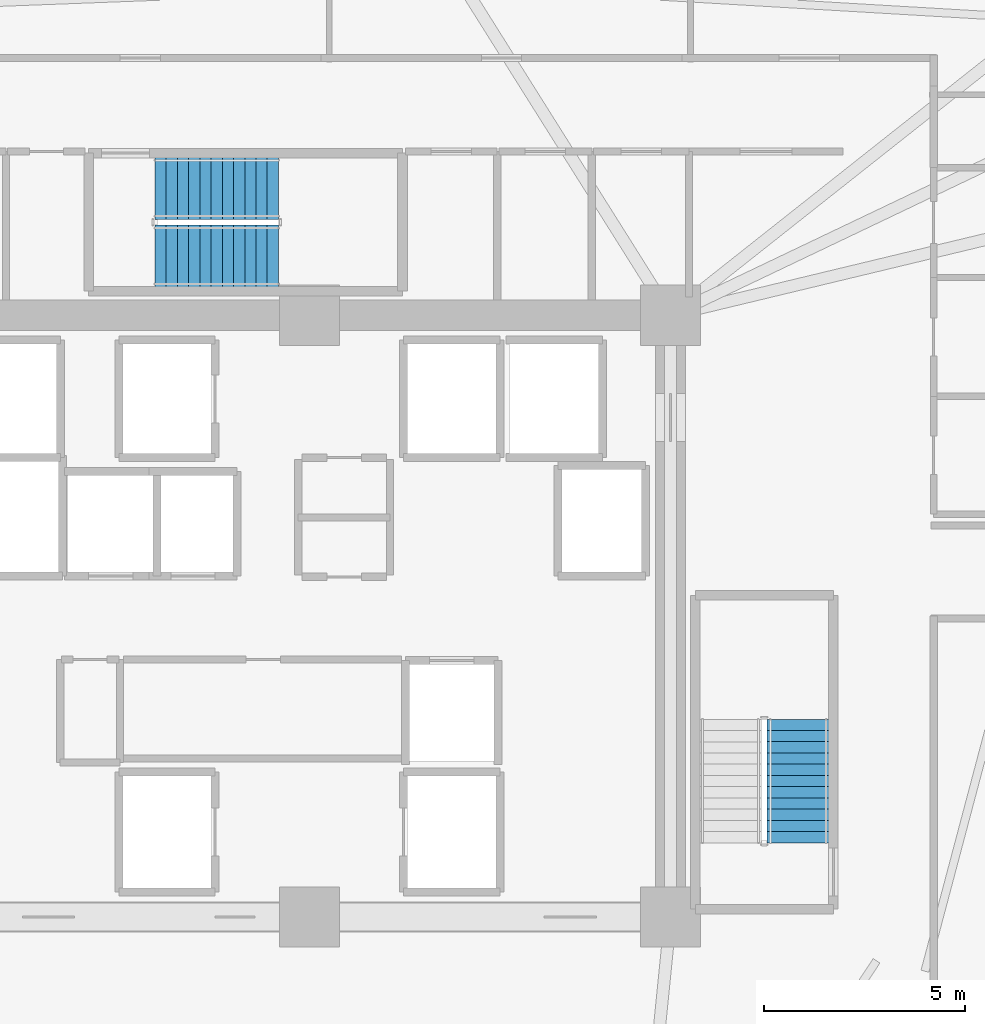
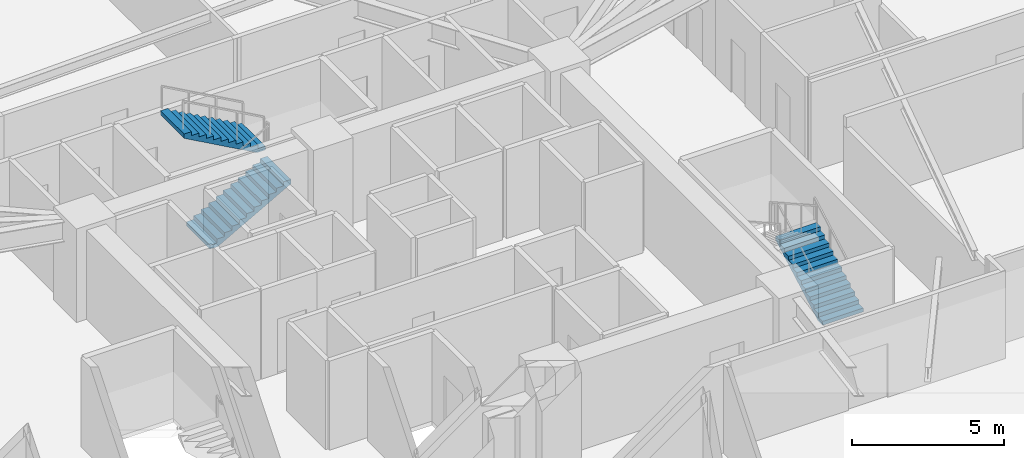
# One storey, part 8 of 10: 3 stair flights, 2 elements without a shape of their own.
"""IFC4 building model written with IfcOpenShell, lengths in metres."""

import ifcopenshell
import ifcopenshell.guid

model = None  # the IFC model being written
_history = None  # IfcOwnerHistory: only IFC2X3 demands one
_inside = {}  # id of a spatial element -> (the spatial element, [elements in it])
_under = {}  # id of a project, library or spatial element -> (it, [spatial elements below it])
_declared = {}  # id of a project -> (the project, [libraries it declares])
_typed = {}  # id of a type object -> (the type object, [elements of that type])
_made_of = {}  # id of a material, layer set ... -> (it, [elements and type objects made of it])


def new_model(schema):
    """Start an empty IFC model of exactly this schema.

    Asked for "IFC4X3", IfcOpenShell would pick the latest addendum, in which some entities
    have other attributes; the version numbers below select the first issue.
    IFC2X3 requires an IfcOwnerHistory on every rooted entity: one is made here for all.
    """
    global model, _history
    if schema == "IFC4X3":
        model = ifcopenshell.file(schema_version=(4, 3, 0, 0))
    else:
        model = ifcopenshell.file(schema=schema)
    _inside.clear()
    _under.clear()
    _declared.clear()
    _typed.clear()
    _made_of.clear()
    _history = None
    if model.schema == "IFC2X3":
        org = make("IfcOrganization", Name="unknown")
        user = make(
            "IfcPersonAndOrganization",
            ThePerson=make("IfcPerson", FamilyName="unknown"),
            TheOrganization=org,
        )
        app = make(
            "IfcApplication",
            ApplicationDeveloper=org,
            Version="unknown",
            ApplicationFullName="unknown",
            ApplicationIdentifier="unknown",
        )
        _history = make(
            "IfcOwnerHistory",
            OwningUser=user,
            OwningApplication=app,
            ChangeAction="ADDED",
            CreationDate=0,
        )
    return model


def make(cls, **values):
    """One entity of the class cls with the attributes given. An attribute that is None is left unset."""
    return model.create_entity(
        cls, **{name: value for name, value in values.items() if value is not None}
    )


def rooted(cls, **values):
    """An entity with a GlobalId (a new one), such as an element, a storey or a relation."""
    return make(cls, GlobalId=ifcopenshell.guid.new(), OwnerHistory=_history, **values)


def si_unit(unit_type, name, prefix=None):
    """IfcSIUnit, for example si_unit("LENGTHUNIT", "METRE", prefix="MILLI")."""
    return make("IfcSIUnit", UnitType=unit_type, Prefix=prefix, Name=name)


def assignment(units):
    """IfcUnitAssignment: the units of a project."""
    return None if units is None else make("IfcUnitAssignment", Units=units)


def point(xyz):
    """IfcCartesianPoint."""
    return None if xyz is None else make("IfcCartesianPoint", Coordinates=xyz)


def direction(xyz):
    """IfcDirection."""
    return None if xyz is None else make("IfcDirection", DirectionRatios=xyz)


def frame(location, z_axis=None, x_axis=None):
    """IfcAxis2Placement3D, a coordinate frame: its origin and axes. An axis left out is left unset."""
    return make(
        "IfcAxis2Placement3D",
        Location=point(location),
        Axis=direction(z_axis),
        RefDirection=direction(x_axis),
    )


def origin():
    """The frame at (0, 0, 0) with its axes left unset."""
    return frame((0.0, 0.0, 0.0))


def place(relative_to, where):
    """IfcLocalPlacement: puts the frame where relative to a parent placement (None: the world)."""
    return make(
        "IfcLocalPlacement", PlacementRelTo=relative_to, RelativePlacement=where
    )


def context(
    kind, dimensions, precision=None, world=None, true_north=None, identifier=None
):
    """IfcGeometricRepresentationContext, for example the 3D "Model" context."""
    return make(
        "IfcGeometricRepresentationContext",
        ContextIdentifier=identifier,
        ContextType=kind,
        CoordinateSpaceDimension=dimensions,
        Precision=precision,
        WorldCoordinateSystem=world,
        TrueNorth=true_north,
    )


def subcontext(parent, identifier, kind, view, scale=None):
    """IfcGeometricRepresentationSubContext, for example "Body" below "Model"."""
    return make(
        "IfcGeometricRepresentationSubContext",
        ContextIdentifier=identifier,
        ContextType=kind,
        ParentContext=parent,
        TargetScale=scale,
        TargetView=view,
    )


def project(units=None, contexts=None):
    """IfcProject with its units and contexts."""
    return rooted(
        "IfcProject",
        Name="project",
        RepresentationContexts=contexts,
        UnitsInContext=assignment(units),
    )


def spatial(cls, under=None, at=None, **own):
    """A site, building, storey or space (cls), placed at a placement, below another one or the project."""
    s = rooted(cls, ObjectPlacement=at, **own)
    if under is not None:
        _under.setdefault(under.id(), (under, []))[1].append(s)
    return s


def polyline(points):
    """IfcPolyline through the points."""
    return make("IfcPolyline", Points=[point(p) for p in points])


def outline(outer, holes=None, kind="AREA"):
    """IfcArbitraryClosedProfileDef: a profile drawn as a closed curve; with holes, ...WithVoids."""
    if holes is None:
        return make("IfcArbitraryClosedProfileDef", ProfileType=kind, OuterCurve=outer)
    return make(
        "IfcArbitraryProfileDefWithVoids",
        ProfileType=kind,
        OuterCurve=outer,
        InnerCurves=holes,
    )


def extrude(swept, where, along, depth):
    """IfcExtrudedAreaSolid: the profile swept, set in the frame where, extruded along a direction by depth."""
    return make(
        "IfcExtrudedAreaSolid",
        SweptArea=swept,
        Position=where,
        ExtrudedDirection=direction(along),
        Depth=depth,
    )


def shape(context_of_items, identifier, shape_type, items):
    """IfcShapeRepresentation: the items that make up one representation, for example the "Body"."""
    return make(
        "IfcShapeRepresentation",
        ContextOfItems=context_of_items,
        RepresentationIdentifier=identifier,
        RepresentationType=shape_type,
        Items=items,
    )


def material(Name=None, Category=None):
    """IfcMaterial."""
    return make("IfcMaterial", Name=Name, Category=Category)


def made_of(thing, what):
    """Note that an element or type object is made of a material, layer set ...; save() writes the relation."""
    if what is not None:
        _made_of.setdefault(what.id(), (what, []))[1].append(thing)
    return thing


def type_object(cls, material=None, **own):
    """A type object (cls), such as IfcWallType, which elements share."""
    return made_of(rooted(cls, **own), material)


def element(
    cls,
    number,
    at=None,
    inside=None,
    cuts=None,
    type_object=None,
    material=None,
    context=None,
    identifier="Body",
    shape_type=None,
    held_by="IfcProductDefinitionShape",
    body=None,
    shapes=None,
    **own,
):
    """One element of the class cls, such as IfcWall. Its Tag is "e" and its number.

    at: its placement. inside: the storey or other place that contains it. cuts: it is an
    opening in that element (IfcRelVoidsElement). A single representation is given by context,
    identifier, shape_type and body (its items); several are given by shapes. held_by: the class
    of the entity that holds the representations. save() writes the other relations.
    """
    e = rooted(cls, Tag="e%d" % number, ObjectPlacement=at, **own)
    if body is not None:
        shapes = [shape(context, identifier, shape_type, body)]
    if shapes is not None:
        e.Representation = make(held_by, Representations=shapes)
    if inside is not None:
        _inside.setdefault(inside.id(), (inside, []))[1].append(e)
    if cuts is not None:
        rooted(
            "IfcRelVoidsElement", RelatingBuildingElement=cuts, RelatedOpeningElement=e
        )
    if type_object is not None:
        _typed.setdefault(type_object.id(), (type_object, []))[1].append(e)
    return made_of(e, material)


def aggregate(whole, parts):
    """IfcRelAggregates: a whole, such as a stair, and the parts it consists of."""
    return rooted("IfcRelAggregates", RelatingObject=whole, RelatedObjects=parts)


def save(model, path):
    """Write the relations noted so far, then the file.

    IfcRelAggregates (storeys below a building ...), IfcRelContainedInSpatialStructure (elements
    in a storey), IfcRelDefinesByType, IfcRelAssociatesMaterial and IfcRelDeclares: one each for
    every whole, place, type object, material and project.
    """
    for whole, parts in _under.values():
        aggregate(whole, parts)
    for where, things in _inside.values():
        rooted(
            "IfcRelContainedInSpatialStructure",
            RelatedElements=things,
            RelatingStructure=where,
        )
    for kind, things in _typed.values():
        rooted("IfcRelDefinesByType", RelatedObjects=things, RelatingType=kind)
    for what, things in _made_of.values():
        rooted("IfcRelAssociatesMaterial", RelatedObjects=things, RelatingMaterial=what)
    for by, libraries in _declared.values():
        rooted("IfcRelDeclares", RelatingContext=by, RelatedDefinitions=libraries)
    model.write(path)


model = new_model("IFC4")

# Units and contexts
model_context = context("Model", 3, precision=1e-05, world=origin(), true_north=direction((0.0, 1.0)))
body_context = subcontext(model_context, "Body", "Model", "MODEL_VIEW")
ifc_project = project(units=[si_unit("LENGTHUNIT", "METRE"), si_unit("AREAUNIT", "SQUARE_METRE"), si_unit("VOLUMEUNIT", "CUBIC_METRE"), si_unit("PLANEANGLEUNIT", "RADIAN"), si_unit("MASSUNIT", "GRAM", prefix="KILO")], contexts=[model_context])

# Site, building, storey
site_placement = place(None, origin())
site = spatial("IfcSite", under=ifc_project, at=site_placement, CompositionType="ELEMENT")
building_placement = place(site_placement, origin())
building = spatial("IfcBuilding", under=site, at=building_placement, Name="Liaohun Quay Tower", CompositionType="ELEMENT")
storey_placement = place(building_placement, frame((0.0, 0.0, 124.5)))
storey = spatial("IfcBuildingStorey", under=building, at=storey_placement, Name="L32", CompositionType="ELEMENT", Elevation=124.5)

# Stair, stair flight
ifc_material = material(Name="Concrete C45", Category="concrete")
stair_type = type_object("IfcStairType", Name="STR-CORE-OFF", PredefinedType="HALF_TURN_STAIR", material=ifc_material)
stair_1_placement = place(storey_placement, origin())
stair_1 = element("IfcStair", 1, at=stair_1_placement, inside=storey, type_object=stair_type, Name="L32 Smokeproof Core Exit Stair ST-2", PredefinedType="HALF_TURN_STAIR")
stair_flight_type = type_object("IfcStairFlightType", Name="FLT-CORE-155", PredefinedType="STRAIGHT", material=ifc_material)
stair_flight_1_placement = place(storey_placement, frame((72.18505859375, 48.35009765625, 0.0), z_axis=(0.0, 0.0, 1.0), x_axis=(0.0, 1.0, 0.0)))
stair_flight_1 = element("IfcStairFlight", 2, at=stair_flight_1_placement, type_object=stair_flight_type, Name="ST-2 flight 1", NumberOfRisers=12, NumberOfTreads=11, PredefinedType="STRAIGHT", RiserHeight=0.15625, TreadLength=0.28, context=body_context, shape_type="SweptSolid", body=[
    extrude(outline(polyline([(0.0, 0.0), (0.0, 0.15625), (0.280029296875, 0.15625), (0.280029296875, 0.3125), (0.56005859375, 0.3125), (0.56005859375, 0.46875), (0.840087890625, 0.46875), (0.840087890625, 0.625), (1.1201171875, 0.625), (1.1201171875, 0.78125), (1.39990234375, 0.78125), (1.39990234375, 0.9375), (1.679931640625, 0.9375), (1.679931640625, 1.09375), (1.9599609375, 1.09375), (1.9599609375, 1.25), (2.239990234375, 1.25), (2.239990234375, 1.40625), (2.52001953125, 1.40625), (2.52001953125, 1.5625), (2.800048828125, 1.5625), (2.800048828125, 1.71875), (3.080078125, 1.71875), (3.080078125, 1.875), (3.080078125, 1.547119140625), (0.3076171875, 0.0), (0.0, 0.0)])), frame((0.0, 0.77490234375, 0.0), z_axis=(0.0, -1.0, 0.0), x_axis=(1.0, 0.0, 0.0)), (0.0, 0.0, 1.0), 1.550048828125),
])
aggregate(stair_1, [stair_flight_1])

# Stair, stair flights
stair_2_placement = place(storey_placement, origin())
stair_2 = element("IfcStair", 3, at=stair_2_placement, inside=storey, type_object=stair_type, Name="L32 Smokeproof Core Exit Stair ST-3", PredefinedType="HALF_TURN_STAIR")
stair_flight_2_placement = place(storey_placement, frame((56.14990234375, 62.97509765625, 0.0), z_axis=(0.0, 0.0, 1.0), x_axis=(1.0, 0.0, 0.0)))
stair_flight_2 = element("IfcStairFlight", 4, at=stair_flight_2_placement, type_object=stair_flight_type, Name="ST-3 flight 1", NumberOfRisers=12, NumberOfTreads=11, PredefinedType="STRAIGHT", RiserHeight=0.15625, TreadLength=0.28, context=body_context, shape_type="SweptSolid", body=[
    extrude(outline(polyline([(0.0, 0.0), (0.0, 0.15625), (0.280029296875, 0.15625), (0.280029296875, 0.3125), (0.56005859375, 0.3125), (0.56005859375, 0.46875), (0.840087890625, 0.46875), (0.840087890625, 0.625), (1.1201171875, 0.625), (1.1201171875, 0.78125), (1.39990234375, 0.78125), (1.39990234375, 0.9375), (1.679931640625, 0.9375), (1.679931640625, 1.09375), (1.9599609375, 1.09375), (1.9599609375, 1.25), (2.239990234375, 1.25), (2.239990234375, 1.40625), (2.52001953125, 1.40625), (2.52001953125, 1.5625), (2.800048828125, 1.5625), (2.800048828125, 1.71875), (3.080078125, 1.71875), (3.080078125, 1.875), (3.080078125, 1.547119140625), (0.3076171875, 0.0), (0.0, 0.0)])), frame((0.0, 0.77490234375, 0.0), z_axis=(0.0, -1.0, 0.0), x_axis=(1.0, 0.0, 0.0)), (0.0, 0.0, 1.0), 1.550048828125),
])
stair_flight_3_placement = place(storey_placement, frame((59.22998046875, 64.6650390625, 1.875), z_axis=(0.0, 0.0, 1.0), x_axis=(-1.0, 0.0, 0.0)))
stair_flight_3 = element("IfcStairFlight", 5, at=stair_flight_3_placement, type_object=stair_flight_type, Name="ST-3 flight 2", NumberOfRisers=12, NumberOfTreads=11, PredefinedType="STRAIGHT", RiserHeight=0.15625, TreadLength=0.28, context=body_context, shape_type="SweptSolid", body=[
    extrude(outline(polyline([(0.0, 0.0), (0.0, 0.15625), (0.280029296875, 0.15625), (0.280029296875, 0.3125), (0.56005859375, 0.3125), (0.56005859375, 0.46875), (0.840087890625, 0.46875), (0.840087890625, 0.625), (1.1201171875, 0.625), (1.1201171875, 0.78125), (1.39990234375, 0.78125), (1.39990234375, 0.9375), (1.679931640625, 0.9375), (1.679931640625, 1.09375), (1.9599609375, 1.09375), (1.9599609375, 1.25), (2.239990234375, 1.25), (2.239990234375, 1.40625), (2.52001953125, 1.40625), (2.52001953125, 1.5625), (2.800048828125, 1.5625), (2.800048828125, 1.71875), (3.080078125, 1.71875), (3.080078125, 1.875), (3.080078125, 1.547119140625), (0.3076171875, 0.0), (0.0, 0.0)])), frame((0.0, 0.77490234375, 0.0), z_axis=(0.0, -1.0, 0.0), x_axis=(1.0, 0.0, 0.0)), (0.0, 0.0, 1.0), 1.550048828125),
])
aggregate(stair_2, [stair_flight_2, stair_flight_3])

save(model, "model.ifc")
